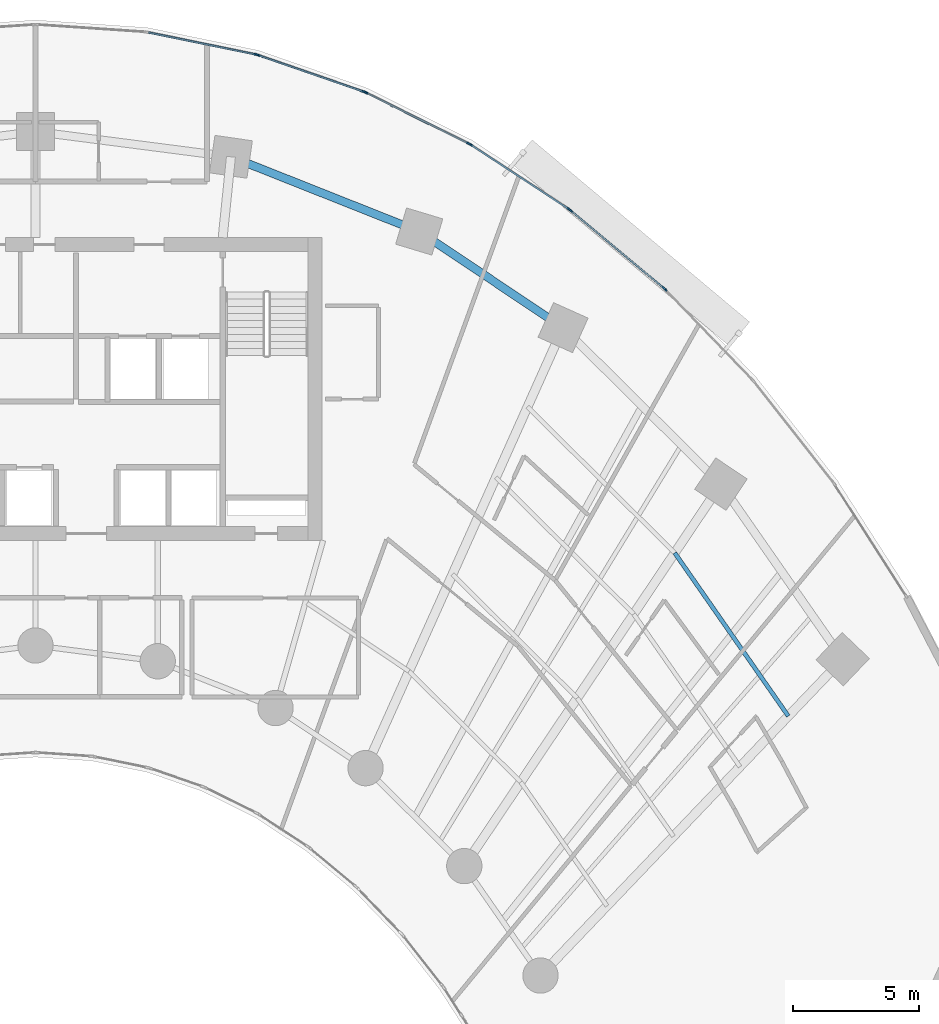
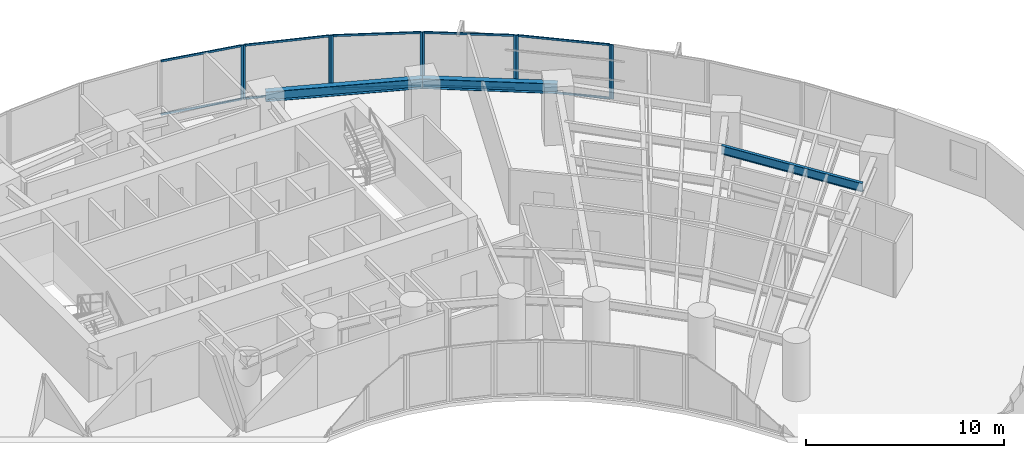
# One storey, part 7 of 17: 20 members, 3 beams, 6 elements without a shape of their own.
"""IFC4 building model written with IfcOpenShell, lengths in metres."""

from ifc_helpers import new_model, si_unit, direction, frame, origin, origin_2d, place, context, subcontext, project, spatial, rectangle, i_section, extrude, source, transform, mapped, material, layer, layer_set, material_profile, profile_set, type_object, element, aggregate, save


model = new_model("IFC4")

# Units and contexts
model_context = context("Model", 3, precision=1e-05, world=origin(), true_north=direction((0.0, 1.0)))
body_context = subcontext(model_context, "Body", "Model", "MODEL_VIEW")
ifc_project = project(units=[si_unit("LENGTHUNIT", "METRE"), si_unit("AREAUNIT", "SQUARE_METRE"), si_unit("VOLUMEUNIT", "CUBIC_METRE"), si_unit("PLANEANGLEUNIT", "RADIAN"), si_unit("MASSUNIT", "GRAM", prefix="KILO")], contexts=[model_context])

# Site, building, storey
site_placement = place(None, origin())
site = spatial("IfcSite", under=ifc_project, at=site_placement, CompositionType="ELEMENT")
building_placement = place(site_placement, origin())
building = spatial("IfcBuilding", under=site, at=building_placement, Name="Breltana Convention Tower", CompositionType="ELEMENT")
storey_placement = place(building_placement, frame((0.0, 0.0, 49.800048828125)))
storey = spatial("IfcBuildingStorey", under=building, at=storey_placement, Name="L10", CompositionType="ELEMENT", Elevation=49.800048828125)

# Beams
ifc_material_1 = material(Name="Steel ASTM A992 Grade 50", Category="steel")
ifc_material_profile_1 = material_profile(ifc_material_1, i_section(OverallWidth=0.323974609375, OverallDepth=0.611083984375, WebThickness=0.0126953125, FlangeThickness=0.01904296875, at=origin_2d()), Name="W24X104")
ifc_profile_set_1 = profile_set([ifc_material_profile_1], Name="Steel ASTM A992 Grade 50")
beam_type_1 = type_object("IfcBeamType", Name="BM-SP-W24X104", PredefinedType="SPANDREL", material=ifc_profile_set_1)
shared_shape_1 = source(origin(), body_context, "Body", "SweptSolid", [
    extrude(i_section(OverallWidth=0.323974609375, OverallDepth=0.611083984375, WebThickness=0.0126953125, FlangeThickness=0.01904296875, at=origin_2d()), origin(), (0.0, 0.0, 1.0), 8.028564453125),
])
beam_1_placement = place(storey_placement, frame((55.746826171875, 75.404296875, 3.054443359375), z_axis=(0.929459100394, -0.368925169507, 0.0), x_axis=(0.368925169507, 0.929459100394, 0.0)))
element("IfcBeam", 1, at=beam_1_placement, inside=storey, type_object=beam_type_1, Name="L10 Outer Spandrel Beam 07", PredefinedType="SPANDREL", context=body_context, shape_type="MappedRepresentation", body=[
    mapped(shared_shape_1, transform((0.0, 0.0, 0.0), scale=1.0)),
])
shared_shape_2 = source(origin(), body_context, "Body", "SweptSolid", [
    extrude(i_section(OverallWidth=0.323974609375, OverallDepth=0.611083984375, WebThickness=0.0126953125, FlangeThickness=0.01904296875, at=origin_2d()), origin(), (0.0, 0.0, 1.0), 6.856689453125),
])
beam_2_placement = place(storey_placement, frame((63.208984375, 72.4423828125, 3.054443359375), z_axis=(0.83150210718, -0.55552159792, 0.0), x_axis=(0.55552159792, 0.83150210718, 0.0)))
element("IfcBeam", 2, at=beam_2_placement, inside=storey, type_object=beam_type_1, Name="L10 Outer Spandrel Beam 08", PredefinedType="SPANDREL", context=body_context, shape_type="MappedRepresentation", body=[
    mapped(shared_shape_2, transform((0.0, 0.0, 0.0), scale=1.0)),
])
ifc_material_profile_2 = material_profile(ifc_material_1, i_section(OverallWidth=0.166015625, OverallDepth=0.534912109375, WebThickness=0.01025390625, FlangeThickness=0.0166015625, at=origin_2d()), Name="W21X57")
ifc_profile_set_2 = profile_set([ifc_material_profile_2], Name="Steel ASTM A992 Grade 50")
beam_type_2 = type_object("IfcBeamType", Name="BM-JSG-05", PredefinedType="JOIST", material=ifc_profile_set_2)
shared_shape_3 = source(origin(), body_context, "Body", "SweptSolid", [
    extrude(i_section(OverallWidth=0.166015625, OverallDepth=0.534912109375, WebThickness=0.01025390625, FlangeThickness=0.0166015625, at=origin_2d()), origin(), (0.0, 0.0, 1.0), 7.88037109375),
])
beam_3_placement = place(storey_placement, frame((73.3359375, 59.70556640625, 3.092529296875), z_axis=(0.571197916304, -0.820812366141, 0.0), x_axis=(0.820812366141, 0.571197916304, 0.0)))
element("IfcBeam", 3, at=beam_3_placement, inside=storey, type_object=beam_type_2, Name="L10 Composite Floor Joist 10.4", PredefinedType="JOIST", context=body_context, shape_type="MappedRepresentation", body=[
    mapped(shared_shape_3, transform((0.0, 0.0, 0.0), scale=1.0)),
])

# Curtain wall, members
ifc_material_2 = material(Name="Aluminium Anodised Bronze Frame", Category="aluminium")
ifc_layer = layer(ifc_material_2, 0.199951171875, Name="Aluminium Anodised Bronze Frame")
ifc_layer_set = layer_set([ifc_layer], Name="Aluminium Anodised Bronze Frame")
curtain_wall_type = type_object("IfcCurtainWallType", Name="CW-SYS-2", PredefinedType="NOTDEFINED", material=ifc_layer_set)
curtain_wall_1_placement = place(storey_placement, origin())
curtain_wall_1 = element("IfcCurtainWall", 4, at=curtain_wall_1_placement, inside=storey, type_object=curtain_wall_type, Name="L10 outer double-skin inner glazing 15", PredefinedType="NOTDEFINED")
ifc_material_3 = material(Name="Aluminium Anodised Bronze", Category="aluminium")
ifc_material_profile_3 = material_profile(ifc_material_3, rectangle(XDim=0.070068359375, YDim=0.1201171875, at=origin_2d()), Name="CWT-70X120")
ifc_profile_set_3 = profile_set([ifc_material_profile_3], Name="Aluminium Anodised Bronze")
member_type_1 = type_object("IfcMemberType", Name="CWT-120", PredefinedType="USERDEFINED", material=ifc_profile_set_3)
shared_shape_4 = source(origin(), body_context, "Body", "SweptSolid", [
    extrude(rectangle(XDim=0.070068359375, YDim=0.1201171875, at=origin_2d()), origin(), (0.0, 0.0, 1.0), 4.7509765625),
])
member_1_placement = place(storey_placement, frame((69.2294921875, 73.2607421875, 0.034912109375), z_axis=(0.767951631807, -0.64050783852, 0.0), x_axis=(0.64050783852, 0.767951631807, 0.0)))
member_1 = element("IfcMember", 5, at=member_1_placement, type_object=member_type_1, Name="CW-02 transom 1.1", ObjectType="TRANSOM", PredefinedType="USERDEFINED", context=body_context, shape_type="MappedRepresentation", body=[
    mapped(shared_shape_4, transform((0.0, 0.0, 0.0), scale=1.0)),
])
member_2_placement = place(storey_placement, frame((69.2294921875, 73.2607421875, 3.324951171875), z_axis=(0.767951631807, -0.64050783852, 0.0), x_axis=(0.64050783852, 0.767951631807, 0.0)))
member_2 = element("IfcMember", 6, at=member_2_placement, type_object=member_type_1, Name="CW-02 transom 1.2", ObjectType="TRANSOM", PredefinedType="USERDEFINED", context=body_context, shape_type="MappedRepresentation", body=[
    mapped(shared_shape_4, transform((0.0, 0.0, 0.0), scale=1.0)),
])

curtain_wall_2_placement = place(storey_placement, origin())
curtain_wall_2 = element("IfcCurtainWall", 7, at=curtain_wall_2_placement, inside=storey, type_object=curtain_wall_type, Name="L10 outer double-skin inner glazing 14", PredefinedType="NOTDEFINED")
shared_shape_5 = source(origin(), body_context, "Body", "SweptSolid", [
    extrude(rectangle(XDim=0.070068359375, YDim=0.1201171875, at=origin_2d()), origin(), (0.0, 0.0, 1.0), 4.610595703125),
])
member_3_placement = place(storey_placement, frame((65.262939453125, 75.874267578125, 0.034912109375), z_axis=(0.835956055104, -0.54879638659, 0.0), x_axis=(0.54879638659, 0.835956055104, 0.0)))
member_3 = element("IfcMember", 8, at=member_3_placement, type_object=member_type_1, Name="CW-02 transom 1.1", ObjectType="TRANSOM", PredefinedType="USERDEFINED", context=body_context, shape_type="MappedRepresentation", body=[
    mapped(shared_shape_5, transform((0.0, 0.0, 0.0), scale=1.0)),
])
member_4_placement = place(storey_placement, frame((65.262939453125, 75.874267578125, 3.324951171875), z_axis=(0.835956055104, -0.54879638659, 0.0), x_axis=(0.54879638659, 0.835956055104, 0.0)))
member_4 = element("IfcMember", 9, at=member_4_placement, type_object=member_type_1, Name="CW-02 transom 1.2", ObjectType="TRANSOM", PredefinedType="USERDEFINED", context=body_context, shape_type="MappedRepresentation", body=[
    mapped(shared_shape_5, transform((0.0, 0.0, 0.0), scale=1.0)),
])

curtain_wall_3_placement = place(storey_placement, origin())
curtain_wall_3 = element("IfcCurtainWall", 10, at=curtain_wall_3_placement, inside=storey, type_object=curtain_wall_type, Name="L10 outer double-skin inner glazing 13", PredefinedType="NOTDEFINED")
shared_shape_6 = source(origin(), body_context, "Body", "SweptSolid", [
    extrude(rectangle(XDim=0.070068359375, YDim=0.1201171875, at=origin_2d()), origin(), (0.0, 0.0, 1.0), 4.487548828125),
])
member_5_placement = place(storey_placement, frame((61.120849609375, 77.936767578125, 0.034912109375), z_axis=(0.895977728863, -0.444098986017, 0.0), x_axis=(0.444098986017, 0.895977728863, 0.0)))
member_5 = element("IfcMember", 11, at=member_5_placement, type_object=member_type_1, Name="CW-02 transom 1.1", ObjectType="TRANSOM", PredefinedType="USERDEFINED", context=body_context, shape_type="MappedRepresentation", body=[
    mapped(shared_shape_6, transform((0.0, 0.0, 0.0), scale=1.0)),
])
member_6_placement = place(storey_placement, frame((61.120849609375, 77.936767578125, 3.324951171875), z_axis=(0.895977728863, -0.444098986017, 0.0), x_axis=(0.444098986017, 0.895977728863, 0.0)))
member_6 = element("IfcMember", 12, at=member_6_placement, type_object=member_type_1, Name="CW-02 transom 1.2", ObjectType="TRANSOM", PredefinedType="USERDEFINED", context=body_context, shape_type="MappedRepresentation", body=[
    mapped(shared_shape_6, transform((0.0, 0.0, 0.0), scale=1.0)),
])

curtain_wall_4_placement = place(storey_placement, origin())
curtain_wall_4 = element("IfcCurtainWall", 13, at=curtain_wall_4_placement, inside=storey, type_object=curtain_wall_type, Name="L10 outer double-skin inner glazing 12", PredefinedType="NOTDEFINED")
shared_shape_7 = source(origin(), body_context, "Body", "SweptSolid", [
    extrude(rectangle(XDim=0.070068359375, YDim=0.1201171875, at=origin_2d()), origin(), (0.0, 0.0, 1.0), 4.38818359375),
])
member_7_placement = place(storey_placement, frame((56.845703125, 79.427490234375, 0.034912109375), z_axis=(0.944878203019, -0.32742202348, 0.0), x_axis=(0.32742202348, 0.944878203019, 0.0)))
member_7 = element("IfcMember", 14, at=member_7_placement, type_object=member_type_1, Name="CW-02 transom 1.1", ObjectType="TRANSOM", PredefinedType="USERDEFINED", context=body_context, shape_type="MappedRepresentation", body=[
    mapped(shared_shape_7, transform((0.0, 0.0, 0.0), scale=1.0)),
])
member_8_placement = place(storey_placement, frame((56.845703125, 79.427490234375, 3.324951171875), z_axis=(0.944878203019, -0.32742202348, 0.0), x_axis=(0.32742202348, 0.944878203019, 0.0)))
member_8 = element("IfcMember", 15, at=member_8_placement, type_object=member_type_1, Name="CW-02 transom 1.2", ObjectType="TRANSOM", PredefinedType="USERDEFINED", context=body_context, shape_type="MappedRepresentation", body=[
    mapped(shared_shape_7, transform((0.0, 0.0, 0.0), scale=1.0)),
])

curtain_wall_5_placement = place(storey_placement, origin())
curtain_wall_5 = element("IfcCurtainWall", 16, at=curtain_wall_5_placement, inside=storey, type_object=curtain_wall_type, Name="L10 outer double-skin inner glazing 11", PredefinedType="NOTDEFINED")
shared_shape_8 = source(origin(), body_context, "Body", "SweptSolid", [
    extrude(rectangle(XDim=0.070068359375, YDim=0.1201171875, at=origin_2d()), origin(), (0.0, 0.0, 1.0), 4.318359375),
])
member_9_placement = place(storey_placement, frame((52.480712890625, 80.33203125, 0.034912109375), z_axis=(0.979616680923, -0.200875977799, 0.0), x_axis=(0.200875977799, 0.979616680923, 0.0)))
member_9 = element("IfcMember", 17, at=member_9_placement, type_object=member_type_1, Name="CW-02 transom 1.1", ObjectType="TRANSOM", PredefinedType="USERDEFINED", context=body_context, shape_type="MappedRepresentation", body=[
    mapped(shared_shape_8, transform((0.0, 0.0, 0.0), scale=1.0)),
])
member_10_placement = place(storey_placement, frame((52.480712890625, 80.33203125, 3.324951171875), z_axis=(0.979616680923, -0.200875977799, 0.0), x_axis=(0.200875977799, 0.979616680923, 0.0)))
member_10 = element("IfcMember", 18, at=member_10_placement, type_object=member_type_1, Name="CW-02 transom 1.2", ObjectType="TRANSOM", PredefinedType="USERDEFINED", context=body_context, shape_type="MappedRepresentation", body=[
    mapped(shared_shape_8, transform((0.0, 0.0, 0.0), scale=1.0)),
])
ifc_material_profile_4 = material_profile(ifc_material_3, rectangle(XDim=0.070068359375, YDim=0.175048828125, at=origin_2d()), Name="CWM-70X175")
ifc_profile_set_4 = profile_set([ifc_material_profile_4], Name="Aluminium Anodised Bronze")
member_type_2 = type_object("IfcMemberType", Name="CWM-175", PredefinedType="MULLION", material=ifc_profile_set_4)
shared_shape_9 = source(origin(), body_context, "Body", "SweptSolid", [
    extrude(rectangle(XDim=0.070068359375, YDim=0.175048828125, at=origin_2d()), origin(), (0.0, 0.0, 1.0), 3.35986328125),
])
member_11_placement = place(storey_placement, frame((56.7451171875, 79.45751953125, 0.0), z_axis=(0.0, 0.0, 1.0), x_axis=(0.200884537139, 0.979614925743, 0.0)))
member_11 = element("IfcMember", 19, at=member_11_placement, type_object=member_type_2, Name="CW-02 mullion 2", PredefinedType="MULLION", context=body_context, shape_type="MappedRepresentation", body=[
    mapped(shared_shape_9, transform((0.0, 0.0, 0.0), scale=1.0)),
])
aggregate(curtain_wall_5, [member_11, member_9, member_10])

# Member
member_12_placement = place(storey_placement, frame((56.8125, 79.43896484375, 0.0), z_axis=(0.0, 0.0, 1.0), x_axis=(0.32742834581, 0.944876012163, 0.0)))
member_12 = element("IfcMember", 20, at=member_12_placement, type_object=member_type_2, Name="CW-02 mullion 1", PredefinedType="MULLION", context=body_context, shape_type="MappedRepresentation", body=[
    mapped(shared_shape_9, transform((0.0, 0.0, 0.0), scale=1.0)),
])

member_13_placement = place(storey_placement, frame((61.025146484375, 77.979248046875, 0.0), z_axis=(0.0, 0.0, 1.0), x_axis=(0.32742834581, 0.944876012163, 0.0)))
member_13 = element("IfcMember", 21, at=member_13_placement, type_object=member_type_2, Name="CW-02 mullion 2", PredefinedType="MULLION", context=body_context, shape_type="MappedRepresentation", body=[
    mapped(shared_shape_9, transform((0.0, 0.0, 0.0), scale=1.0)),
])

aggregate(curtain_wall_4, [member_12, member_13, member_7, member_8])

member_14_placement = place(storey_placement, frame((61.089599609375, 77.9521484375, 0.0), z_axis=(0.0, 0.0, 1.0), x_axis=(0.444107703726, 0.895973407804, 0.0)))
member_14 = element("IfcMember", 22, at=member_14_placement, type_object=member_type_2, Name="CW-02 mullion 1", PredefinedType="MULLION", context=body_context, shape_type="MappedRepresentation", body=[
    mapped(shared_shape_9, transform((0.0, 0.0, 0.0), scale=1.0)),
])

member_15_placement = place(storey_placement, frame((65.1728515625, 75.92822265625, 0.0), z_axis=(0.0, 0.0, 1.0), x_axis=(0.444107703726, 0.895973407804, 0.0)))
member_15 = element("IfcMember", 23, at=member_15_placement, type_object=member_type_2, Name="CW-02 mullion 2", PredefinedType="MULLION", context=body_context, shape_type="MappedRepresentation", body=[
    mapped(shared_shape_9, transform((0.0, 0.0, 0.0), scale=1.0)),
])

aggregate(curtain_wall_3, [member_14, member_15, member_5, member_6])

member_16_placement = place(storey_placement, frame((65.233642578125, 75.8935546875, 0.0), z_axis=(0.0, 0.0, 1.0), x_axis=(0.548784255746, 0.83596401875, 0.0)))
member_16 = element("IfcMember", 24, at=member_16_placement, type_object=member_type_2, Name="CW-02 mullion 1", PredefinedType="MULLION", context=body_context, shape_type="MappedRepresentation", body=[
    mapped(shared_shape_9, transform((0.0, 0.0, 0.0), scale=1.0)),
])

member_17_placement = place(storey_placement, frame((69.146484375, 73.32470703125, 0.0), z_axis=(0.0, 0.0, 1.0), x_axis=(0.548784255746, 0.83596401875, 0.0)))
member_17 = element("IfcMember", 25, at=member_17_placement, type_object=member_type_2, Name="CW-02 mullion 2", PredefinedType="MULLION", context=body_context, shape_type="MappedRepresentation", body=[
    mapped(shared_shape_9, transform((0.0, 0.0, 0.0), scale=1.0)),
])

aggregate(curtain_wall_2, [member_16, member_17, member_3, member_4])

member_18_placement = place(storey_placement, frame((69.20263671875, 73.283203125, 0.0), z_axis=(0.0, 0.0, 1.0), x_axis=(0.640520193554, 0.767941326958, 0.0)))
member_18 = element("IfcMember", 26, at=member_18_placement, type_object=member_type_2, Name="CW-02 mullion 1", PredefinedType="MULLION", context=body_context, shape_type="MappedRepresentation", body=[
    mapped(shared_shape_9, transform((0.0, 0.0, 0.0), scale=1.0)),
])

member_19_placement = place(storey_placement, frame((72.90478515625, 70.1953125, 0.0), z_axis=(0.0, 0.0, 1.0), x_axis=(0.640520193554, 0.767941326958, 0.0)))
member_19 = element("IfcMember", 27, at=member_19_placement, type_object=member_type_2, Name="CW-02 mullion 2", PredefinedType="MULLION", context=body_context, shape_type="MappedRepresentation", body=[
    mapped(shared_shape_9, transform((0.0, 0.0, 0.0), scale=1.0)),
])

aggregate(curtain_wall_1, [member_18, member_19, member_1, member_2])

# Curtain wall, member
curtain_wall_6_placement = place(storey_placement, origin())
curtain_wall_6 = element("IfcCurtainWall", 28, at=curtain_wall_6_placement, inside=storey, type_object=curtain_wall_type, Name="L10 outer double-skin inner glazing 16", PredefinedType="NOTDEFINED")
member_20_placement = place(storey_placement, frame((72.955810546875, 70.147705078125, 0.0), z_axis=(0.0, 0.0, 1.0), x_axis=(0.719386421003, 0.694610090106, 0.0)))
member_20 = element("IfcMember", 29, at=member_20_placement, type_object=member_type_2, Name="CW-02 mullion 1", PredefinedType="MULLION", context=body_context, shape_type="MappedRepresentation", body=[
    mapped(shared_shape_9, transform((0.0, 0.0, 0.0), scale=1.0)),
])
aggregate(curtain_wall_6, [member_20])

save(model, "model.ifc")
